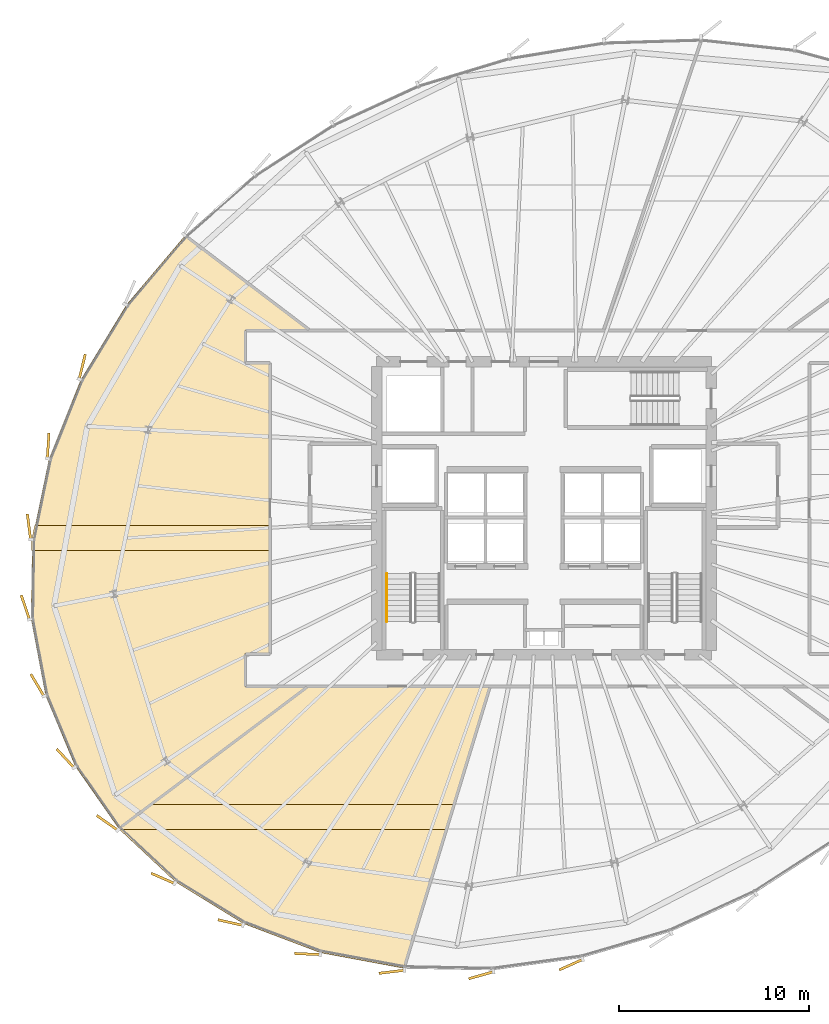
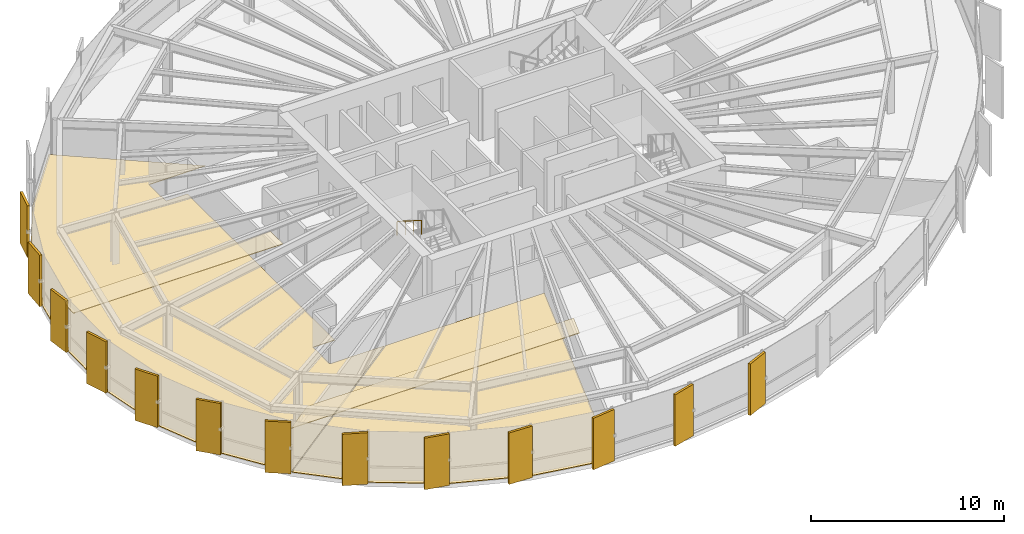
# One storey, part 32 of 36: 17 coverings, 1 railing.
"""IFC4 building model written with IfcOpenShell, lengths in metres."""

from ifc_helpers import new_model, si_unit, direction, frame, origin, origin_2d, place, context, subcontext, project, spatial, polyline, rectangle, circle, outline, extrude, source, transform, mapped, material, layer, layer_set, type_object, element, save


model = new_model("IFC4")

# Units and contexts
model_context = context("Model", 3, precision=1e-05, world=origin(), true_north=direction((0.0, 1.0)))
body_context = subcontext(model_context, "Body", "Model", "MODEL_VIEW")
ifc_project = project(units=[si_unit("LENGTHUNIT", "METRE"), si_unit("AREAUNIT", "SQUARE_METRE"), si_unit("VOLUMEUNIT", "CUBIC_METRE"), si_unit("PLANEANGLEUNIT", "RADIAN"), si_unit("MASSUNIT", "GRAM", prefix="KILO"), si_unit("THERMODYNAMICTEMPERATUREUNIT", "KELVIN")], contexts=[model_context])

# Site, building, storey
site_placement = place(None, origin())
site = spatial("IfcSite", under=ifc_project, at=site_placement, CompositionType="ELEMENT")
building_placement = place(site_placement, origin())
building = spatial("IfcBuilding", under=site, at=building_placement, Name="Kethvar Cultural Tower", CompositionType="ELEMENT")
storey_placement = place(building_placement, frame((0.0, 0.0, 150.10009765625)))
storey = spatial("IfcBuildingStorey", under=building, at=storey_placement, Name="L38", CompositionType="ELEMENT", Elevation=150.10009765625)

# Coverings
ifc_material_1 = material(Name="Acoustic Mineral Fibre Ceiling")
ifc_layer_1 = layer(ifc_material_1, 0.0400390625, Name="Acoustic Mineral Fibre Ceiling")
ifc_layer_set_1 = layer_set([ifc_layer_1], Name="Acoustic Mineral Fibre Ceiling (40 mm)")
covering_type_1 = type_object("IfcCoveringType", Name="CV-ACOUSTIC-CEIL", PredefinedType="CEILING", material=ifc_layer_set_1)
covering_1_placement = place(storey_placement, frame((0.0, 0.0, 2.77978515625)))
element("IfcCovering", 1, at=covering_1_placement, inside=storey, type_object=covering_type_1, Name="L38 Room 01 Acoustic Ceiling Panel", PredefinedType="CEILING", context=body_context, shape_type="SweptSolid", body=[
    extrude(outline(polyline([(24.43359375, 10.935791015625), (26.144287109375, 12.24560546875), (42.104736328125, 12.24560546875), (41.70751953125, 10.935546875), (24.43359375, 10.935791015625)])), origin(), (0.0, 0.0, 1.0), 0.0400390625),
])
covering_2_placement = place(storey_placement, frame((0.0, 0.0, 2.77978515625)))
element("IfcCovering", 2, at=covering_2_placement, inside=storey, type_object=covering_type_1, Name="L38 Room 06 Acoustic Ceiling Panel", PredefinedType="CEILING", context=body_context, shape_type="SweptSolid", body=[
    extrude(outline(polyline([(19.875732421875, 26.16796875), (20.0283203125, 26.90625), (32.419921875, 26.90625), (32.419921875, 25.59619140625), (19.867431640625, 25.59619140625), (19.875732421875, 26.16796875)])), origin(), (0.0, 0.0, 1.0), 0.0400390625),
])
ifc_material_2 = material(Name="Honed Warm Limestone", Category="masonry")
ifc_layer_2 = layer(ifc_material_2, 0.030029296875, Name="Honed Warm Limestone", Category="masonry")
ifc_layer_set_2 = layer_set([ifc_layer_2], Name="Honed Warm Limestone (30 mm)")
covering_type_2 = type_object("IfcCoveringType", Name="CV-STONE-FLOOR", PredefinedType="FLOORING", material=ifc_layer_set_2)
covering_3_placement = place(storey_placement, origin())
element("IfcCovering", 3, at=covering_3_placement, inside=storey, type_object=covering_type_2, Name="L38 Room 01 Floor Finish", PredefinedType="FLOORING", context=body_context, shape_type="SweptSolid", body=[
    extrude(outline(polyline([(35.062255859375, 4.447265625), (31.0146484375, 5.9765625), (27.44677734375, 8.1689453125), (24.48291015625, 10.9423828125), (34.41015625, 18.429931640625), (43.93798828125, 18.429931640625), (39.450927734375, 3.63037109375), (35.062255859375, 4.447265625)])), origin(), (0.0, 0.0, 1.0), 0.02978515625),
])
covering_4_placement = place(storey_placement, origin())
element("IfcCovering", 4, at=covering_4_placement, inside=storey, type_object=covering_type_2, Name="L38 Room 06 Floor Finish", PredefinedType="FLOORING", context=body_context, shape_type="SweptSolid", body=[
    extrude(outline(polyline([(22.16552734375, 14.257080078125), (20.612548828125, 17.968505859375), (19.854736328125, 21.978515625), (19.915771484375, 26.16552734375), (20.793212890625, 30.402587890625), (22.461181640625, 34.560546875), (24.86865234375, 38.513671875), (27.931396484375, 42.127685546875), (34.448974609375, 37.169921875), (31.080078125, 37.14990234375), (31.08447265625, 35.437255859375), (32.3798828125, 35.429931640625), (32.3798828125, 20.169921875), (31.08447265625, 20.16259765625), (31.080322265625, 18.446044921875), (34.34375, 18.429931640625), (24.456298828125, 10.97265625), (22.16552734375, 14.257080078125)])), origin(), (0.0, 0.0, 1.0), 0.02978515625),
])

# Railing
ifc_material_3 = material(Name="Steel S355J2", Category="steel")
railing_type = type_object("IfcRailingType", Name="RL-STAIR-HANDRAIL", PredefinedType="HANDRAIL", material=ifc_material_3)
railing_placement = place(storey_placement, frame((38.5400390625, 24.3701171875, 1.952392578125)))
element("IfcRailing", 5, at=railing_placement, inside=storey, type_object=railing_type, Name="L38 ST-01 stair handrail 2", PredefinedType="HANDRAIL", context=body_context, shape_type="SweptSolid", body=[
    extrude(circle(Radius=0.02392578125, at=origin_2d()), frame((0.0, 0.0, 0.8759765625), z_axis=(0.0, -0.84460694969, 0.535386869969), x_axis=(1.0, 0.0, 0.0)), (0.0, 0.0, 1.0), 2.983642578125),
    extrude(circle(Radius=0.02099609375, at=origin_2d()), origin(), (0.0, 0.0, 1.0), 0.851806640625),
    extrude(circle(Radius=0.02099609375, at=origin_2d()), frame((0.0, -0.840087890625, 0.532470703125)), (0.0, 0.0, 1.0), 0.851806640625),
    extrude(circle(Radius=0.02099609375, at=origin_2d()), frame((0.0, -1.679931640625, 1.06494140625)), (0.0, 0.0, 1.0), 0.851806640625),
    extrude(circle(Radius=0.02099609375, at=origin_2d()), frame((0.0, -2.52001953125, 1.597412109375)), (0.0, 0.0, 1.0), 0.851806640625),
])

# Coverings
ifc_material_4 = material(Name="Extruded Architectural Terracotta", Category="masonry")
ifc_layer_3 = layer(ifc_material_4, 0.135009765625, Name="Extruded Architectural Terracotta", Category="masonry")
ifc_layer_set_3 = layer_set([ifc_layer_3], Name="Extruded Architectural Terracotta (135 mm)")
covering_type_3 = type_object("IfcCoveringType", Name="Terracotta Facade Fin FIN-02", PredefinedType="CLADDING", material=ifc_layer_set_3)
shared_shape = source(origin(), body_context, "Body", "SweptSolid", [
    extrude(rectangle(XDim=1.35009765625, YDim=0.135009765625, at=origin_2d()), origin(), (0.0, 0.0, 1.0), 3.260009765625),
])
for number, where, z_axis, x_axis, name in (
    (6, (22.53076171875, 35.2548828125, 0.02001953125), (0.0, 0.0, 1.0), (0.239550296042, 0.970883955819, 0.0), "L38 Vertical Terracotta Fin 3.2"),
    (7, (20.7392578125, 31.09814453125, 0.02001953125), (0.0, 0.0, 1.0), (0.064532308253, 0.997915618272, 0.0), "L38 Vertical Terracotta Fin 3.3"),
    (8, (19.7314453125, 26.838623046875, 0.02001953125), (0.0, 0.0, 1.0), (-0.124813746365, 0.992180189642, 0.0), "L38 Vertical Terracotta Fin 3.4"),
    (9, (19.539794921875, 22.601318359375, 0.02001953125), (0.0, 0.0, 1.0), (-0.320612990586, 0.947210277746, 0.0), "L38 Vertical Terracotta Fin 3.5"),
    (10, (20.1748046875, 18.51220703125, 0.02001953125), (0.0, 0.0, 1.0), (-0.510692982667, 0.859763151952, 0.0), "L38 Vertical Terracotta Fin 3.6"),
    (11, (21.645263671875, 14.664306640625, 0.02001953125), (0.0, 0.0, 1.0), (-0.680593005737, 0.732661695834, 0.0), "L38 Vertical Terracotta Fin 4.1"),
    (12, (23.844970703125, 11.273681640625, 0.02001953125), (0.0, 0.0, 1.0), (-0.818149717425, 0.575005252043, 0.0), "L38 Vertical Terracotta Fin 4.2"),
    (13, (26.77392578125, 8.3544921875, 0.02001953125), (0.0, 0.0, 1.0), (-0.916572226203, 0.399869171297, 0.0), "L38 Vertical Terracotta Fin 4.3"),
    (14, (30.319091796875, 6.0322265625, 0.02001953125), (0.0, 0.0, 1.0), (-0.975534543946, 0.219846204353, 0.0), "L38 Vertical Terracotta Fin 4.4"),
    (15, (34.367919921875, 4.379150390625, 0.02001953125), (0.0, 0.0, 1.0), (-0.999017526045, 0.044316843913, 0.0), "L38 Vertical Terracotta Fin 4.5"),
    (16, (38.793212890625, 3.446044921875, 0.02001953125), (0.0, 0.0, 1.0), (-0.992673228672, -0.120829884873, 0.0), "L38 Vertical Terracotta Fin 4.6"),
    (17, (43.49609375, 3.263427734375, 0.02001953125), (0.0, 0.0, 1.0), (-0.961836880762, -0.273623490961, 0.0), "L38 Vertical Terracotta Fin 5.1"),
    (18, (48.21630859375, 3.818603515625, 0.02001953125), (0.0, 0.0, 1.0), (-0.910611546611, -0.413263367815, 0.0), "L38 Vertical Terracotta Fin 5.2"),
):
    element("IfcCovering", number, at=place(storey_placement, frame(where, z_axis=z_axis, x_axis=x_axis)), inside=storey, type_object=covering_type_3, Name=name, PredefinedType="CLADDING", context=body_context, shape_type="MappedRepresentation", body=[
        mapped(shared_shape, transform((0.0, 0.0, 0.0), scale=1.0)),
    ])

save(model, "model.ifc")
